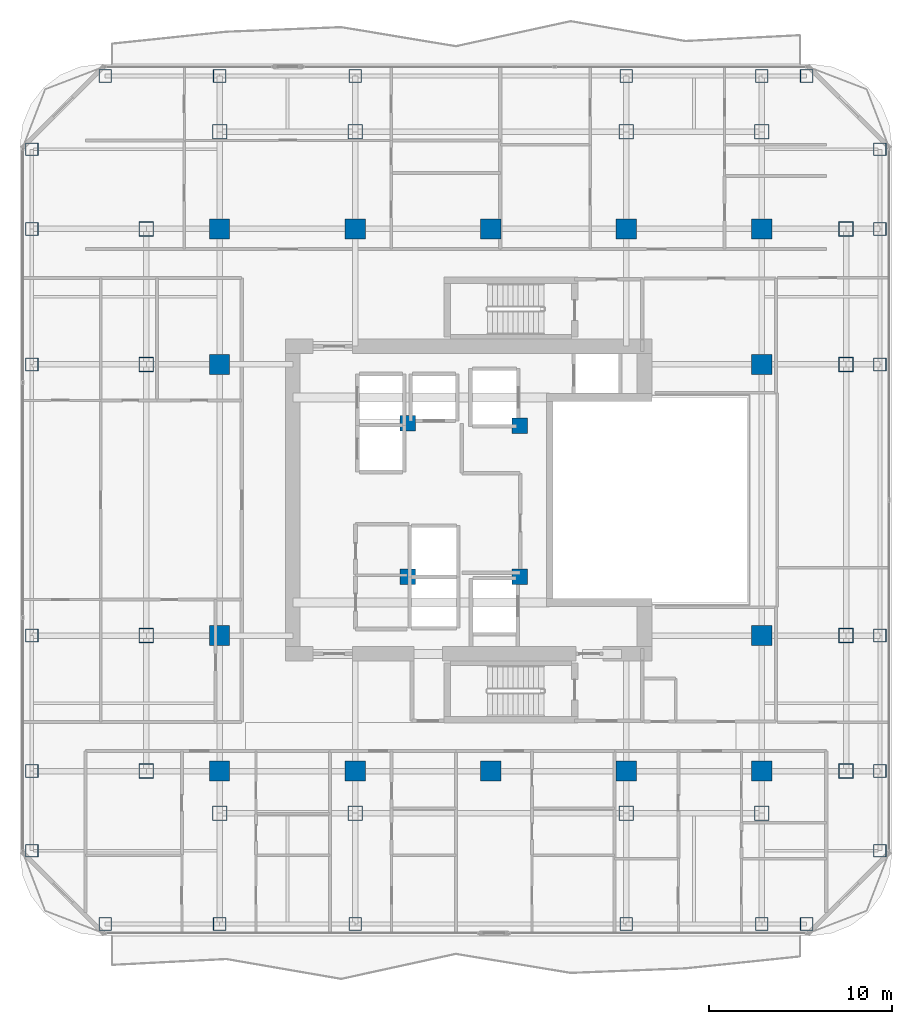
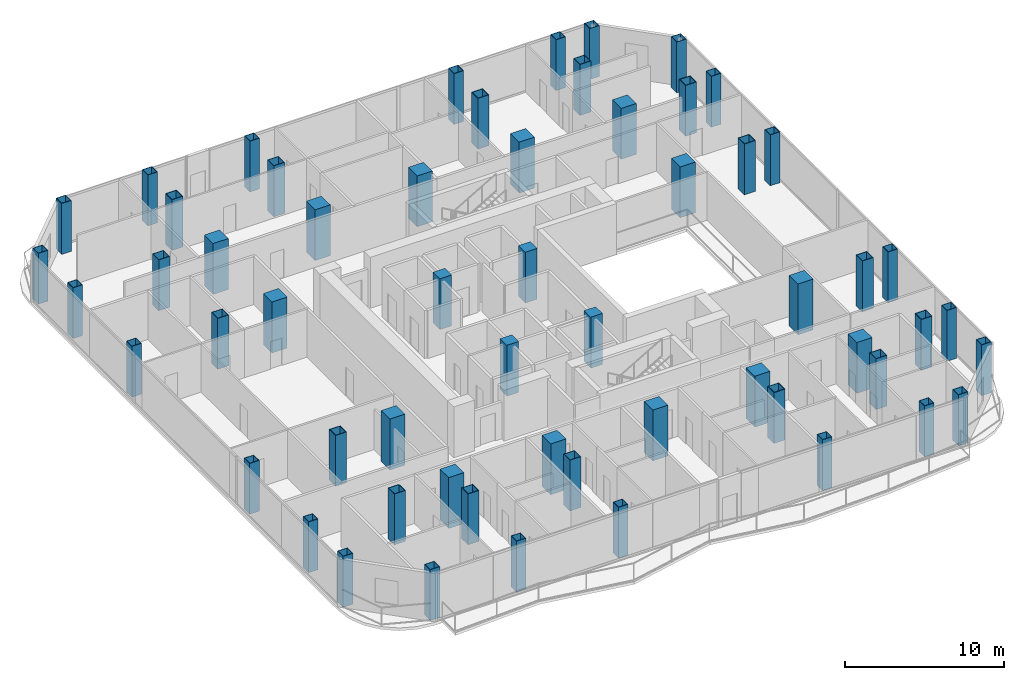
# One storey, part 1 of 25: 58 columns.
"""IFC4 building model written with IfcOpenShell, lengths in metres."""

from ifc_helpers import new_model, si_unit, direction, frame, origin, origin_2d, place, context, subcontext, project, spatial, rectangle, hollow_rectangle, extrude, material, material_profile, profile_set, type_object, element, save


model = new_model("IFC4")

# Units and contexts
model_context = context("Model", 3, precision=1e-05, world=origin(), true_north=direction((0.0, 1.0)))
body_context = subcontext(model_context, "Body", "Model", "MODEL_VIEW")
ifc_project = project(units=[si_unit("LENGTHUNIT", "METRE"), si_unit("AREAUNIT", "SQUARE_METRE"), si_unit("VOLUMEUNIT", "CUBIC_METRE"), si_unit("PLANEANGLEUNIT", "RADIAN"), si_unit("MASSUNIT", "GRAM", prefix="KILO")], contexts=[model_context])

# Site, building, storey
site_placement = place(None, origin())
site = spatial("IfcSite", under=ifc_project, at=site_placement, CompositionType="ELEMENT")
building_placement = place(site_placement, origin())
building = spatial("IfcBuilding", under=site, at=building_placement, Name="Khorvyn Point Tower", CompositionType="ELEMENT")
storey_placement = place(building_placement, frame((0.0, 0.0, 171.89990234375)))
storey = spatial("IfcBuildingStorey", under=building, at=storey_placement, Name="L42", CompositionType="ELEMENT", Elevation=171.89990234375)

# Columns
ifc_material_1 = material(Name="Concrete C40/50", Category="concrete")
ifc_material_profile_1 = material_profile(ifc_material_1, rectangle(XDim=0.85009765625, YDim=0.85009765625, at=origin_2d()))
ifc_profile_set_1 = profile_set([ifc_material_profile_1], Name="Concrete C40/50 RC850x850")
column_type_1 = type_object("IfcColumnType", Name="Concrete C40/50 Column RC850x850", PredefinedType="COLUMN", material=ifc_profile_set_1)
for number, where, z_axis, x_axis, name in (
    (1, (-4.52001953125, -4.199951171875, 0.0), (0.0, 0.0, 1.0), (1.0, 0.0, 0.0), "L42 Crown Core Spine Column 1"),
    (2, (1.580078125, -4.179931640625, 0.0), (0.0, 0.0, 1.0), (1.0, 0.0, 0.0), "L42 Crown Core Spine Column 2"),
    (3, (1.580078125, 4.050048828125, 0.0), (0.0, 0.0, 1.0), (1.0, 0.0, 0.0), "L42 Crown Core Spine Column 3"),
    (4, (-4.52001953125, 4.199951171875, 0.0), (0.0, 0.0, 1.0), (1.0, 0.0, 0.0), "L42 Crown Core Spine Column 4"),
):
    element("IfcColumn", number, at=place(storey_placement, frame(where, z_axis=z_axis, x_axis=x_axis)), inside=storey, type_object=column_type_1, Name=name, PredefinedType="COLUMN", context=body_context, shape_type="SweptSolid", body=[
        extrude(rectangle(XDim=0.85009765625, YDim=0.85009765625, at=origin_2d()), origin(), (0.0, 0.0, 1.0), 3.900146484375),
    ])
ifc_material_2 = material(Name="Concrete C45/55", Category="concrete")
ifc_material_profile_2 = material_profile(ifc_material_2, rectangle(XDim=1.10009765625, YDim=1.10009765625, at=origin_2d()))
ifc_profile_set_2 = profile_set([ifc_material_profile_2], Name="Concrete C45/55 RC1100x1100")
column_type_2 = type_object("IfcColumnType", Name="Concrete C45/55 Column RC1100x1100", PredefinedType="COLUMN", material=ifc_profile_set_2)
for number, where, z_axis, x_axis, name in (
    (5, (-14.800048828125, -14.800048828125, 0.0), (0.0, 0.0, 1.0), (1.0, 0.0, 0.0), "L42 Mega-Column MC-01"),
    (6, (-7.39990234375, -14.800048828125, 0.0), (0.0, 0.0, 1.0), (1.0, 0.0, 0.0), "L42 Mega-Column MC-02"),
    (7, (0.0, -14.800048828125, 0.0), (0.0, 0.0, 1.0), (1.0, 0.0, 0.0), "L42 Mega-Column MC-03"),
    (8, (7.39990234375, -14.800048828125, 0.0), (0.0, 0.0, 1.0), (1.0, 0.0, 0.0), "L42 Mega-Column MC-04"),
    (9, (14.800048828125, -14.800048828125, 0.0), (0.0, 0.0, 1.0), (1.0, 0.0, 0.0), "L42 Mega-Column MC-05"),
    (10, (-14.800048828125, 14.800048828125, 0.0), (0.0, 0.0, 1.0), (1.0, 0.0, 0.0), "L42 Mega-Column MC-06"),
    (11, (-7.39990234375, 14.800048828125, 0.0), (0.0, 0.0, 1.0), (1.0, 0.0, 0.0), "L42 Mega-Column MC-07"),
    (12, (0.0, 14.800048828125, 0.0), (0.0, 0.0, 1.0), (1.0, 0.0, 0.0), "L42 Mega-Column MC-08"),
    (13, (7.39990234375, 14.800048828125, 0.0), (0.0, 0.0, 1.0), (1.0, 0.0, 0.0), "L42 Mega-Column MC-09"),
    (14, (14.800048828125, 14.800048828125, 0.0), (0.0, 0.0, 1.0), (1.0, 0.0, 0.0), "L42 Mega-Column MC-10"),
    (15, (-14.800048828125, -7.39990234375, 0.0), (0.0, 0.0, 1.0), (1.0, 0.0, 0.0), "L42 Mega-Column MC-11"),
    (16, (-14.800048828125, 7.39990234375, 0.0), (0.0, 0.0, 1.0), (1.0, 0.0, 0.0), "L42 Mega-Column MC-12"),
    (17, (14.800048828125, -7.39990234375, 0.0), (0.0, 0.0, 1.0), (1.0, 0.0, 0.0), "L42 Mega-Column MC-13"),
    (18, (14.800048828125, 7.39990234375, 0.0), (0.0, 0.0, 1.0), (1.0, 0.0, 0.0), "L42 Mega-Column MC-14"),
):
    element("IfcColumn", number, at=place(storey_placement, frame(where, z_axis=z_axis, x_axis=x_axis)), inside=storey, type_object=column_type_2, Name=name, PredefinedType="COLUMN", context=body_context, shape_type="SweptSolid", body=[
        extrude(rectangle(XDim=1.10009765625, YDim=1.10009765625, at=origin_2d()), origin(), (0.0, 0.0, 1.0), 3.900146484375),
    ])
ifc_material_3 = material(Name="Steel S450", Category="steel")
ifc_material_profile_3 = material_profile(ifc_material_3, hollow_rectangle(XDim=0.699951171875, YDim=0.699951171875, WallThickness=0.031982421875, at=origin_2d()))
ifc_profile_set_3 = profile_set([ifc_material_profile_3], Name="Steel S450 BOX700x700x32")
column_type_3 = type_object("IfcColumnType", Name="Steel S450 Structural Column BOX700x700x32", PredefinedType="COLUMN", material=ifc_profile_set_3)
for number, where, z_axis, x_axis, name in (
    (19, (-21.050048828125, -23.14990234375, 0.0), (0.0, 0.0, 1.0), (1.0, 0.0, 0.0), "L42 Perimeter Tube Column TC-01"),
    (20, (17.25, -23.14990234375, 0.0), (0.0, 0.0, 1.0), (1.0, 0.0, 0.0), "L42 Perimeter Tube Column TC-02"),
    (21, (-21.050048828125, 23.14990234375, 0.0), (0.0, 0.0, 1.0), (1.0, 0.0, 0.0), "L42 Perimeter Tube Column TC-03"),
    (22, (17.25, 23.14990234375, 0.0), (0.0, 0.0, 1.0), (1.0, 0.0, 0.0), "L42 Perimeter Tube Column TC-04"),
    (23, (-25.050048828125, -19.14990234375, 0.0), (0.0, 0.0, 1.0), (1.0, 0.0, 0.0), "L42 Perimeter Tube Column TC-05"),
    (24, (-25.050048828125, 19.14990234375, 0.0), (0.0, 0.0, 1.0), (1.0, 0.0, 0.0), "L42 Perimeter Tube Column TC-06"),
    (25, (21.25, -19.14990234375, 0.0), (0.0, 0.0, 1.0), (1.0, 0.0, 0.0), "L42 Perimeter Tube Column TC-07"),
    (26, (21.25, 19.14990234375, 0.0), (0.0, 0.0, 1.0), (1.0, 0.0, 0.0), "L42 Perimeter Tube Column TC-08"),
    (27, (-14.800048828125, -23.14990234375, 0.0), (0.0, 0.0, 1.0), (1.0, 0.0, 0.0), "L42 Perimeter Tube Column TC-09"),
    (28, (-14.800048828125, 23.14990234375, 0.0), (0.0, 0.0, 1.0), (1.0, 0.0, 0.0), "L42 Perimeter Tube Column TC-10"),
    (29, (-7.39990234375, -23.14990234375, 0.0), (0.0, 0.0, 1.0), (1.0, 0.0, 0.0), "L42 Perimeter Tube Column TC-11"),
    (30, (-7.39990234375, 23.14990234375, 0.0), (0.0, 0.0, 1.0), (1.0, 0.0, 0.0), "L42 Perimeter Tube Column TC-12"),
    (31, (7.39990234375, -23.14990234375, 0.0), (0.0, 0.0, 1.0), (1.0, 0.0, 0.0), "L42 Perimeter Tube Column TC-13"),
    (32, (7.39990234375, 23.14990234375, 0.0), (0.0, 0.0, 1.0), (1.0, 0.0, 0.0), "L42 Perimeter Tube Column TC-14"),
    (33, (14.800048828125, -23.14990234375, 0.0), (0.0, 0.0, 1.0), (1.0, 0.0, 0.0), "L42 Perimeter Tube Column TC-15"),
    (34, (14.800048828125, 23.14990234375, 0.0), (0.0, 0.0, 1.0), (1.0, 0.0, 0.0), "L42 Perimeter Tube Column TC-16"),
    (35, (-25.050048828125, -14.800048828125, 0.0), (0.0, 0.0, 1.0), (1.0, 0.0, 0.0), "L42 Perimeter Tube Column TC-17"),
    (36, (21.25, -14.800048828125, 0.0), (0.0, 0.0, 1.0), (1.0, 0.0, 0.0), "L42 Perimeter Tube Column TC-18"),
    (37, (-25.050048828125, -7.39990234375, 0.0), (0.0, 0.0, 1.0), (1.0, 0.0, 0.0), "L42 Perimeter Tube Column TC-19"),
    (38, (21.25, -7.39990234375, 0.0), (0.0, 0.0, 1.0), (1.0, 0.0, 0.0), "L42 Perimeter Tube Column TC-20"),
    (39, (-25.050048828125, 7.39990234375, 0.0), (0.0, 0.0, 1.0), (1.0, 0.0, 0.0), "L42 Perimeter Tube Column TC-21"),
    (40, (21.25, 7.39990234375, 0.0), (0.0, 0.0, 1.0), (1.0, 0.0, 0.0), "L42 Perimeter Tube Column TC-22"),
    (41, (-25.050048828125, 14.800048828125, 0.0), (0.0, 0.0, 1.0), (1.0, 0.0, 0.0), "L42 Perimeter Tube Column TC-23"),
    (42, (21.25, 14.800048828125, 0.0), (0.0, 0.0, 1.0), (1.0, 0.0, 0.0), "L42 Perimeter Tube Column TC-24"),
):
    element("IfcColumn", number, at=place(storey_placement, frame(where, z_axis=z_axis, x_axis=x_axis)), inside=storey, type_object=column_type_3, Name=name, PredefinedType="COLUMN", context=body_context, shape_type="SweptSolid", body=[
        extrude(hollow_rectangle(XDim=0.699951171875, YDim=0.699951171875, WallThickness=0.031982421875, at=origin_2d()), origin(), (0.0, 0.0, 1.0), 3.900146484375),
    ])
ifc_material_profile_4 = material_profile(ifc_material_3, hollow_rectangle(XDim=0.800048828125, YDim=0.800048828125, WallThickness=0.035888671875, at=origin_2d()))
ifc_profile_set_4 = profile_set([ifc_material_profile_4], Name="Steel S450 BOX800x800x36")
column_type_4 = type_object("IfcColumnType", Name="Steel S450 Structural Column BOX800x800x36", PredefinedType="COLUMN", material=ifc_profile_set_4)
for number, where, z_axis, x_axis, name in (
    (43, (-18.800048828125, -14.800048828125, 0.0), (0.0, 0.0, 1.0), (1.0, 0.0, 0.0), "L42 Intermediate Column ICW--14"),
    (44, (-18.800048828125, -7.39990234375, 0.0), (0.0, 0.0, 1.0), (1.0, 0.0, 0.0), "L42 Intermediate Column ICW--7"),
    (45, (-18.800048828125, 7.39990234375, 0.0), (0.0, 0.0, 1.0), (1.0, 0.0, 0.0), "L42 Intermediate Column ICW-7"),
    (46, (-18.800048828125, 14.800048828125, 0.0), (0.0, 0.0, 1.0), (1.0, 0.0, 0.0), "L42 Intermediate Column ICW-14"),
    (47, (19.39990234375, -14.800048828125, 0.0), (0.0, 0.0, 1.0), (1.0, 0.0, 0.0), "L42 Intermediate Column ICE--14"),
    (48, (19.39990234375, -7.39990234375, 0.0), (0.0, 0.0, 1.0), (1.0, 0.0, 0.0), "L42 Intermediate Column ICE--7"),
    (49, (19.39990234375, 7.39990234375, 0.0), (0.0, 0.0, 1.0), (1.0, 0.0, 0.0), "L42 Intermediate Column ICE-7"),
    (50, (19.39990234375, 14.800048828125, 0.0), (0.0, 0.0, 1.0), (1.0, 0.0, 0.0), "L42 Intermediate Column ICE-14"),
    (51, (-14.800048828125, -17.10009765625, 0.0), (0.0, 0.0, 1.0), (1.0, 0.0, 0.0), "L42 Intermediate Column ICS--14"),
    (52, (-7.39990234375, -17.10009765625, 0.0), (0.0, 0.0, 1.0), (1.0, 0.0, 0.0), "L42 Intermediate Column ICS--7"),
    (53, (7.39990234375, -17.10009765625, 0.0), (0.0, 0.0, 1.0), (1.0, 0.0, 0.0), "L42 Intermediate Column ICS-7"),
    (54, (14.800048828125, -17.10009765625, 0.0), (0.0, 0.0, 1.0), (1.0, 0.0, 0.0), "L42 Intermediate Column ICS-14"),
    (55, (-14.800048828125, 20.10009765625, 0.0), (0.0, 0.0, 1.0), (1.0, 0.0, 0.0), "L42 Intermediate Column ICN--14"),
    (56, (-7.39990234375, 20.10009765625, 0.0), (0.0, 0.0, 1.0), (1.0, 0.0, 0.0), "L42 Intermediate Column ICN--7"),
    (57, (7.39990234375, 20.10009765625, 0.0), (0.0, 0.0, 1.0), (1.0, 0.0, 0.0), "L42 Intermediate Column ICN-7"),
    (58, (14.800048828125, 20.10009765625, 0.0), (0.0, 0.0, 1.0), (1.0, 0.0, 0.0), "L42 Intermediate Column ICN-14"),
):
    element("IfcColumn", number, at=place(storey_placement, frame(where, z_axis=z_axis, x_axis=x_axis)), inside=storey, type_object=column_type_4, Name=name, PredefinedType="COLUMN", context=body_context, shape_type="SweptSolid", body=[
        extrude(hollow_rectangle(XDim=0.800048828125, YDim=0.800048828125, WallThickness=0.035888671875, at=origin_2d()), origin(), (0.0, 0.0, 1.0), 3.900146484375),
    ])

save(model, "model.ifc")
